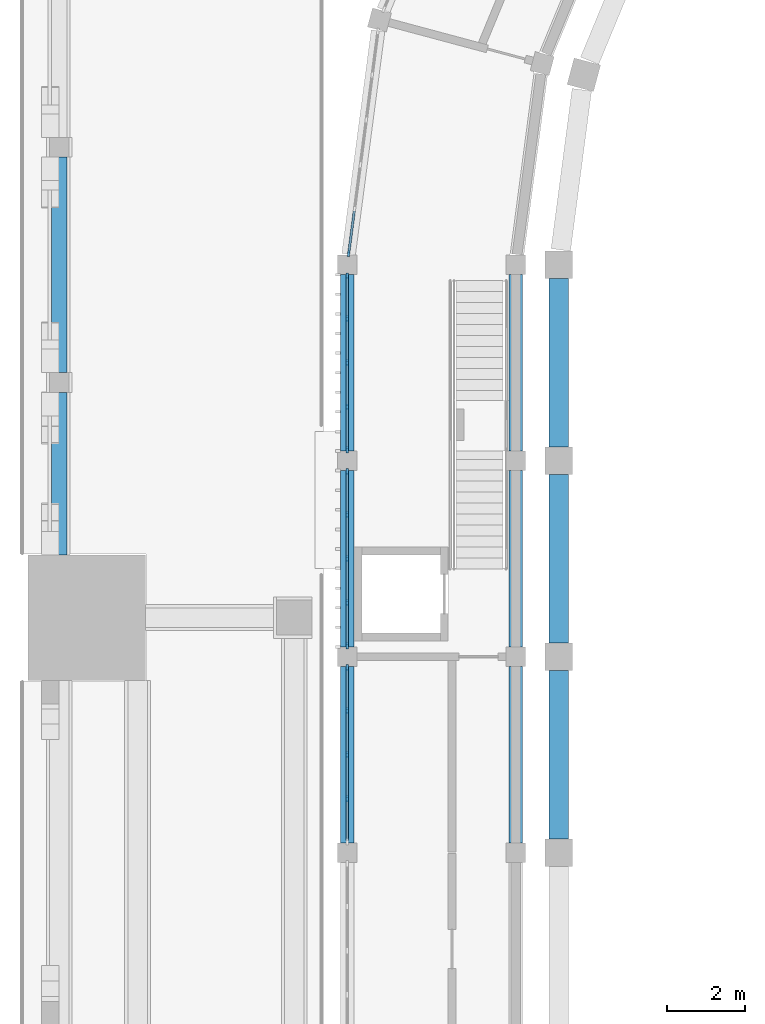
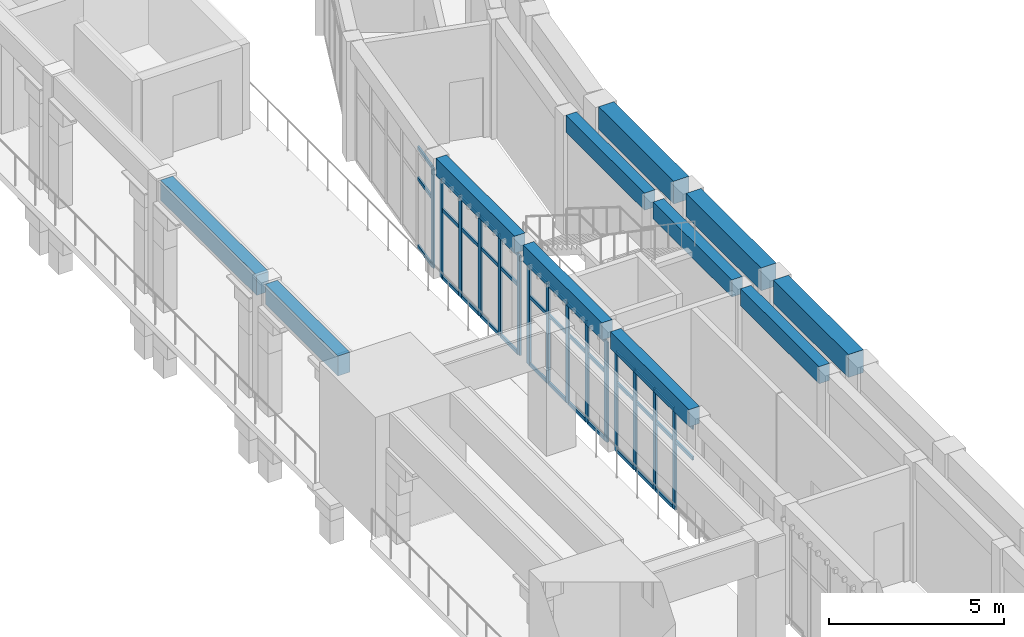
# One storey, part 11 of 99: 53 members, 11 beams, 4 elements without a shape of their own.
"""IFC4 building model written with IfcOpenShell, lengths in metres."""

from ifc_helpers import new_model, si_unit, direction, frame, origin, origin_2d, place, context, subcontext, project, spatial, rectangle, extrude, material, layer, layer_set, material_profile, profile_set, type_object, element, aggregate, save


model = new_model("IFC4")

# Units and contexts
model_context = context("Model", 3, precision=1e-05, world=origin(), true_north=direction((0.0, 1.0)))
body_context = subcontext(model_context, "Body", "Model", "MODEL_VIEW")
ifc_project = project(units=[si_unit("LENGTHUNIT", "METRE"), si_unit("AREAUNIT", "SQUARE_METRE"), si_unit("VOLUMEUNIT", "CUBIC_METRE"), si_unit("PLANEANGLEUNIT", "RADIAN"), si_unit("MASSUNIT", "GRAM", prefix="KILO")], contexts=[model_context])

# Site, building, storey
site_placement = place(None, origin())
site = spatial("IfcSite", under=ifc_project, at=site_placement, CompositionType="ELEMENT")
building_placement = place(site_placement, origin())
building = spatial("IfcBuilding", under=site, at=building_placement, Name="Wasatch Bagh Community Centre", CompositionType="ELEMENT")
storey_placement = place(building_placement, frame((0.0, 0.0, 4.199951171875)))
storey = spatial("IfcBuildingStorey", under=building, at=storey_placement, Name="L01", CompositionType="ELEMENT", Elevation=4.199951171875)

# Beams
ifc_material_1 = material(Name="Concrete C35", Category="concrete")
ifc_material_profile_1 = material_profile(ifc_material_1, rectangle(XDim=0.39990234375, YDim=0.699951171875, at=origin_2d()), Name="RC 400x700")
ifc_profile_set_1 = profile_set([ifc_material_profile_1], Name="Concrete C35")
beam_type_1 = type_object("IfcBeamType", Name="CT-B1", PredefinedType="BEAM", material=ifc_profile_set_1)
beam_1_placement = place(storey_placement, frame((4.5, 62.25, 3.85009765625), z_axis=(0.0, 1.0, 0.0), x_axis=(-1.0, 0.0, 0.0)))
element("IfcBeam", 1, at=beam_1_placement, inside=storey, type_object=beam_type_1, Name="CT-B1 terrace arcade spandrel beam 4", PredefinedType="BEAM", context=body_context, shape_type="SweptSolid", body=[
    extrude(rectangle(XDim=0.39990234375, YDim=0.699951171875, at=origin_2d()), origin(), (0.0, 0.0, 1.0), 5.5),
])
beam_2_placement = place(storey_placement, frame((4.5, 57.60009765625, 3.85009765625), z_axis=(0.0, 1.0, 0.0), x_axis=(-1.0, 0.0, 0.0)))
element("IfcBeam", 2, at=beam_2_placement, inside=storey, type_object=beam_type_1, Name="CT-B1 terrace arcade spandrel beam W2", PredefinedType="BEAM", context=body_context, shape_type="SweptSolid", body=[
    extrude(rectangle(XDim=0.39990234375, YDim=0.699951171875, at=origin_2d()), origin(), (0.0, 0.0, 1.0), 4.14990234375),
])

# Curtain wall, member
ifc_material_2 = material(Name="Aluminium curtain wall frame with low-iron insulated glass", Category="aluminium")
ifc_layer_1 = layer(ifc_material_2, 0.14990234375)
ifc_layer_set_1 = layer_set([ifc_layer_1], Name="Aluminium curtain wall frame with low-iron insulated glass")
curtain_wall_type_1 = type_object("IfcCurtainWallType", Name="Drum curtain wall DR-CW2", PredefinedType="NOTDEFINED", material=ifc_layer_set_1)
curtain_wall_1_placement = place(storey_placement, origin())
curtain_wall_1 = element("IfcCurtainWall", 3, at=curtain_wall_1_placement, inside=storey, type_object=curtain_wall_type_1, Name="Curtain wall DR-CW2 30", PredefinedType="NOTDEFINED")
ifc_material_3 = material(Name="Aluminium curtain wall frame", Category="aluminium")
ifc_material_profile_2 = material_profile(ifc_material_3, rectangle(XDim=0.06005859375, YDim=0.159912109375, at=origin_2d()), Name="Drum mullion DR-CW2")
ifc_profile_set_2 = profile_set([ifc_material_profile_2], Name="Aluminium curtain wall frame")
member_type_1 = type_object("IfcMemberType", Name="Drum mullion DR-CW2", PredefinedType="MULLION", material=ifc_profile_set_2)
member_1_placement = place(storey_placement, frame((11.88818359375, 65.2900390625, 0.0), z_axis=(0.0, 0.0, 1.0), x_axis=(0.991444861378, -0.130526192185, 0.0)))
member_1 = element("IfcMember", 4, at=member_1_placement, type_object=member_type_1, Name="DR-CW2 mullion 6", PredefinedType="MULLION", context=body_context, shape_type="SweptSolid", body=[
    extrude(rectangle(XDim=0.06005859375, YDim=0.159912109375, at=origin_2d()), origin(), (0.0, 0.0, 1.0), 3.5),
])

# Curtain wall, members
ifc_layer_2 = layer(ifc_material_2, 0.14990234375)
ifc_layer_set_2 = layer_set([ifc_layer_2], Name="Aluminium curtain wall frame with low-iron insulated glass")
curtain_wall_type_2 = type_object("IfcCurtainWallType", Name="Drum curtain wall DR-CW4", PredefinedType="NOTDEFINED", material=ifc_layer_set_2)
curtain_wall_2_placement = place(storey_placement, origin())
curtain_wall_2 = element("IfcCurtainWall", 5, at=curtain_wall_2_placement, inside=storey, type_object=curtain_wall_type_2, Name="Curtain wall DR-CW4 31", PredefinedType="NOTDEFINED")
ifc_material_profile_3 = material_profile(ifc_material_3, rectangle(XDim=0.06005859375, YDim=0.159912109375, at=origin_2d()), Name="Drum mullion DR-CW4")
ifc_profile_set_3 = profile_set([ifc_material_profile_3], Name="Aluminium curtain wall frame")
member_type_2 = type_object("IfcMemberType", Name="Drum mullion DR-CW4", PredefinedType="MULLION", material=ifc_profile_set_3)
member_2_placement = place(storey_placement, frame((11.85009765625, 64.719482421875, 0.0), z_axis=(0.0, 0.0, 1.0), x_axis=(1.0, 0.0, 0.0)))
member_2 = element("IfcMember", 6, at=member_2_placement, type_object=member_type_2, Name="DR-CW4 mullion 1", PredefinedType="MULLION", context=body_context, shape_type="SweptSolid", body=[
    extrude(rectangle(XDim=0.06005859375, YDim=0.159912109375, at=origin_2d()), origin(), (0.0, 0.0, 1.0), 3.5),
])
member_3_placement = place(storey_placement, frame((11.85009765625, 63.624755859375, 0.0), z_axis=(0.0, 0.0, 1.0), x_axis=(1.0, 0.0, 0.0)))
member_3 = element("IfcMember", 7, at=member_3_placement, type_object=member_type_2, Name="DR-CW4 mullion 2", PredefinedType="MULLION", context=body_context, shape_type="SweptSolid", body=[
    extrude(rectangle(XDim=0.06005859375, YDim=0.159912109375, at=origin_2d()), origin(), (0.0, 0.0, 1.0), 3.5),
])
member_4_placement = place(storey_placement, frame((11.85009765625, 62.5, 0.0), z_axis=(0.0, 0.0, 1.0), x_axis=(1.0, 0.0, 0.0)))
member_4 = element("IfcMember", 8, at=member_4_placement, type_object=member_type_2, Name="DR-CW4 mullion 3", PredefinedType="MULLION", context=body_context, shape_type="SweptSolid", body=[
    extrude(rectangle(XDim=0.06005859375, YDim=0.159912109375, at=origin_2d()), origin(), (0.0, 0.0, 1.0), 3.5),
])
member_5_placement = place(storey_placement, frame((11.85009765625, 61.375244140625, 0.0), z_axis=(0.0, 0.0, 1.0), x_axis=(1.0, 0.0, 0.0)))
member_5 = element("IfcMember", 9, at=member_5_placement, type_object=member_type_2, Name="DR-CW4 mullion 4", PredefinedType="MULLION", context=body_context, shape_type="SweptSolid", body=[
    extrude(rectangle(XDim=0.06005859375, YDim=0.159912109375, at=origin_2d()), origin(), (0.0, 0.0, 1.0), 3.5),
])
member_6_placement = place(storey_placement, frame((11.85009765625, 60.280517578125, 0.0), z_axis=(0.0, 0.0, 1.0), x_axis=(1.0, 0.0, 0.0)))
member_6 = element("IfcMember", 10, at=member_6_placement, type_object=member_type_2, Name="DR-CW4 mullion 5", PredefinedType="MULLION", context=body_context, shape_type="SweptSolid", body=[
    extrude(rectangle(XDim=0.06005859375, YDim=0.159912109375, at=origin_2d()), origin(), (0.0, 0.0, 1.0), 3.5),
])

curtain_wall_3_placement = place(storey_placement, origin())
curtain_wall_3 = element("IfcCurtainWall", 11, at=curtain_wall_3_placement, inside=storey, type_object=curtain_wall_type_2, Name="Curtain wall DR-CW4 32", PredefinedType="NOTDEFINED")
member_7_placement = place(storey_placement, frame((11.85009765625, 59.719482421875, 0.0), z_axis=(0.0, 0.0, 1.0), x_axis=(1.0, 0.0, 0.0)))
member_7 = element("IfcMember", 12, at=member_7_placement, type_object=member_type_2, Name="DR-CW4 mullion 1", PredefinedType="MULLION", context=body_context, shape_type="SweptSolid", body=[
    extrude(rectangle(XDim=0.06005859375, YDim=0.159912109375, at=origin_2d()), origin(), (0.0, 0.0, 1.0), 3.5),
])
member_8_placement = place(storey_placement, frame((11.85009765625, 58.624755859375, 0.0), z_axis=(0.0, 0.0, 1.0), x_axis=(1.0, 0.0, 0.0)))
member_8 = element("IfcMember", 13, at=member_8_placement, type_object=member_type_2, Name="DR-CW4 mullion 2", PredefinedType="MULLION", context=body_context, shape_type="SweptSolid", body=[
    extrude(rectangle(XDim=0.06005859375, YDim=0.159912109375, at=origin_2d()), origin(), (0.0, 0.0, 1.0), 3.5),
])
member_9_placement = place(storey_placement, frame((11.85009765625, 57.5, 0.0), z_axis=(0.0, 0.0, 1.0), x_axis=(1.0, 0.0, 0.0)))
member_9 = element("IfcMember", 14, at=member_9_placement, type_object=member_type_2, Name="DR-CW4 mullion 3", PredefinedType="MULLION", context=body_context, shape_type="SweptSolid", body=[
    extrude(rectangle(XDim=0.06005859375, YDim=0.159912109375, at=origin_2d()), origin(), (0.0, 0.0, 1.0), 3.5),
])
member_10_placement = place(storey_placement, frame((11.85009765625, 56.375244140625, 0.0), z_axis=(0.0, 0.0, 1.0), x_axis=(1.0, 0.0, 0.0)))
member_10 = element("IfcMember", 15, at=member_10_placement, type_object=member_type_2, Name="DR-CW4 mullion 4", PredefinedType="MULLION", context=body_context, shape_type="SweptSolid", body=[
    extrude(rectangle(XDim=0.06005859375, YDim=0.159912109375, at=origin_2d()), origin(), (0.0, 0.0, 1.0), 3.5),
])
member_11_placement = place(storey_placement, frame((11.85009765625, 55.280517578125, 0.0), z_axis=(0.0, 0.0, 1.0), x_axis=(1.0, 0.0, 0.0)))
member_11 = element("IfcMember", 16, at=member_11_placement, type_object=member_type_2, Name="DR-CW4 mullion 5", PredefinedType="MULLION", context=body_context, shape_type="SweptSolid", body=[
    extrude(rectangle(XDim=0.06005859375, YDim=0.159912109375, at=origin_2d()), origin(), (0.0, 0.0, 1.0), 3.5),
])

curtain_wall_4_placement = place(storey_placement, origin())
curtain_wall_4 = element("IfcCurtainWall", 17, at=curtain_wall_4_placement, inside=storey, type_object=curtain_wall_type_2, Name="Curtain wall DR-CW4 33", PredefinedType="NOTDEFINED")
member_12_placement = place(storey_placement, frame((11.85009765625, 54.719482421875, 0.0), z_axis=(0.0, 0.0, 1.0), x_axis=(1.0, 0.0, 0.0)))
member_12 = element("IfcMember", 18, at=member_12_placement, type_object=member_type_2, Name="DR-CW4 mullion 1", PredefinedType="MULLION", context=body_context, shape_type="SweptSolid", body=[
    extrude(rectangle(XDim=0.06005859375, YDim=0.159912109375, at=origin_2d()), origin(), (0.0, 0.0, 1.0), 3.5),
])
member_13_placement = place(storey_placement, frame((11.85009765625, 53.624755859375, 0.0), z_axis=(0.0, 0.0, 1.0), x_axis=(1.0, 0.0, 0.0)))
member_13 = element("IfcMember", 19, at=member_13_placement, type_object=member_type_2, Name="DR-CW4 mullion 2", PredefinedType="MULLION", context=body_context, shape_type="SweptSolid", body=[
    extrude(rectangle(XDim=0.06005859375, YDim=0.159912109375, at=origin_2d()), origin(), (0.0, 0.0, 1.0), 3.5),
])
member_14_placement = place(storey_placement, frame((11.85009765625, 52.5, 0.0), z_axis=(0.0, 0.0, 1.0), x_axis=(1.0, 0.0, 0.0)))
member_14 = element("IfcMember", 20, at=member_14_placement, type_object=member_type_2, Name="DR-CW4 mullion 3", PredefinedType="MULLION", context=body_context, shape_type="SweptSolid", body=[
    extrude(rectangle(XDim=0.06005859375, YDim=0.159912109375, at=origin_2d()), origin(), (0.0, 0.0, 1.0), 3.5),
])
member_15_placement = place(storey_placement, frame((11.85009765625, 51.375244140625, 0.0), z_axis=(0.0, 0.0, 1.0), x_axis=(1.0, 0.0, 0.0)))
member_15 = element("IfcMember", 21, at=member_15_placement, type_object=member_type_2, Name="DR-CW4 mullion 4", PredefinedType="MULLION", context=body_context, shape_type="SweptSolid", body=[
    extrude(rectangle(XDim=0.06005859375, YDim=0.159912109375, at=origin_2d()), origin(), (0.0, 0.0, 1.0), 3.5),
])

# Beams
ifc_material_profile_4 = material_profile(ifc_material_1, rectangle(XDim=0.35009765625, YDim=0.60009765625, at=origin_2d()), Name="RC 350x600")
ifc_profile_set_4 = profile_set([ifc_material_profile_4], Name="Concrete C35")
beam_type_2 = type_object("IfcBeamType", Name="Drum ring beam RC 350x600", PredefinedType="BEAM", material=ifc_profile_set_4)
for number, where, z_axis, x_axis, name in (
    (22, (16.14990234375, 64.74951171875, 3.900146484375), (0.0, -1.0, 0.0), (1.0, 0.0, 0.0), "Ring beam 8.4 DI-W7-DI-W6"),
    (23, (16.14990234375, 59.74951171875, 3.900146484375), (0.0, -1.0, 0.0), (1.0, 0.0, 0.0), "Ring beam 8.4 DI-W6-DI-W5"),
    (24, (16.14990234375, 54.74951171875, 3.900146484375), (0.0, -1.0, 0.0), (1.0, 0.0, 0.0), "Ring beam 8.4 DI-W5-DI-W4"),
    (25, (11.85009765625, 64.74951171875, 3.900146484375), (0.0, -1.0, 0.0), (1.0, 0.0, 0.0), "Ring beam 8.4 DO-W7-DO-W6"),
    (26, (11.85009765625, 59.74951171875, 3.900146484375), (0.0, -1.0, 0.0), (1.0, 0.0, 0.0), "Ring beam 8.4 DO-W6-DO-W5"),
    (27, (11.85009765625, 54.74951171875, 3.900146484375), (0.0, -1.0, 0.0), (1.0, 0.0, 0.0), "Ring beam 8.4 DO-W5-DO-W4"),
):
    element("IfcBeam", number, at=place(storey_placement, frame(where, z_axis=z_axis, x_axis=x_axis)), inside=storey, type_object=beam_type_2, Name=name, PredefinedType="BEAM", context=body_context, shape_type="SweptSolid", body=[
        extrude(rectangle(XDim=0.35009765625, YDim=0.60009765625, at=origin_2d()), origin(), (0.0, 0.0, 1.0), 4.4990234375),
    ])

# Member
ifc_material_profile_5 = material_profile(ifc_material_3, rectangle(XDim=0.06005859375, YDim=0.1201171875, at=origin_2d()), Name="Drum transom DR-CW2")
ifc_profile_set_5 = profile_set([ifc_material_profile_5], Name="Aluminium curtain wall frame")
member_type_3 = type_object("IfcMemberType", Name="Drum transom DR-CW2", PredefinedType="USERDEFINED", material=ifc_profile_set_5)
member_16_placement = place(storey_placement, frame((12.03125, 66.37646484375, 0.030029296875), z_axis=(-0.130573025845, -0.991438694485, 0.0), x_axis=(0.991438694485, -0.130573025845, 0.0)))
member_16 = element("IfcMember", 28, at=member_16_placement, type_object=member_type_3, Name="DR-CW2 transom 5.1", ObjectType="TRANSOM", PredefinedType="USERDEFINED", context=body_context, shape_type="SweptSolid", body=[
    extrude(rectangle(XDim=0.06005859375, YDim=0.1201171875, at=origin_2d()), origin(), (0.0, 0.0, 1.0), 1.065673828125),
])

member_17_placement = place(storey_placement, frame((12.03125, 66.37646484375, 2.400146484375), z_axis=(-0.130573025845, -0.991438694485, 0.0), x_axis=(0.991438694485, -0.130573025845, 0.0)))
member_17 = element("IfcMember", 29, at=member_17_placement, type_object=member_type_3, Name="DR-CW2 transom 5.2", ObjectType="TRANSOM", PredefinedType="USERDEFINED", context=body_context, shape_type="SweptSolid", body=[
    extrude(rectangle(XDim=0.06005859375, YDim=0.1201171875, at=origin_2d()), origin(), (0.0, 0.0, 1.0), 1.065673828125),
])

member_18_placement = place(storey_placement, frame((12.03125, 66.37646484375, 3.469970703125), z_axis=(-0.130573025845, -0.991438694485, 0.0), x_axis=(0.991438694485, -0.130573025845, 0.0)))
member_18 = element("IfcMember", 30, at=member_18_placement, type_object=member_type_3, Name="DR-CW2 transom 5.3", ObjectType="TRANSOM", PredefinedType="USERDEFINED", context=body_context, shape_type="SweptSolid", body=[
    extrude(rectangle(XDim=0.06005859375, YDim=0.1201171875, at=origin_2d()), origin(), (0.0, 0.0, 1.0), 1.065673828125),
])

aggregate(curtain_wall_1, [member_1, member_16, member_17, member_18])

ifc_material_profile_6 = material_profile(ifc_material_3, rectangle(XDim=0.06005859375, YDim=0.1201171875, at=origin_2d()), Name="Drum transom DR-CW4")
ifc_profile_set_6 = profile_set([ifc_material_profile_6], Name="Aluminium curtain wall frame")
member_type_4 = type_object("IfcMemberType", Name="Drum transom DR-CW4", PredefinedType="USERDEFINED", material=ifc_profile_set_6)
member_19_placement = place(storey_placement, frame((11.85009765625, 64.689453125, 0.030029296875), z_axis=(0.0, -1.0, 0.0), x_axis=(1.0, 0.0, 0.0)))
member_19 = element("IfcMember", 31, at=member_19_placement, type_object=member_type_4, Name="DR-CW4 transom 1.1", ObjectType="TRANSOM", PredefinedType="USERDEFINED", context=body_context, shape_type="SweptSolid", body=[
    extrude(rectangle(XDim=0.06005859375, YDim=0.1201171875, at=origin_2d()), origin(), (0.0, 0.0, 1.0), 1.03466796875),
])

member_20_placement = place(storey_placement, frame((11.85009765625, 64.689453125, 2.400146484375), z_axis=(0.0, -1.0, 0.0), x_axis=(1.0, 0.0, 0.0)))
member_20 = element("IfcMember", 32, at=member_20_placement, type_object=member_type_4, Name="DR-CW4 transom 1.2", ObjectType="TRANSOM", PredefinedType="USERDEFINED", context=body_context, shape_type="SweptSolid", body=[
    extrude(rectangle(XDim=0.06005859375, YDim=0.1201171875, at=origin_2d()), origin(), (0.0, 0.0, 1.0), 1.03466796875),
])

member_21_placement = place(storey_placement, frame((11.85009765625, 64.689453125, 3.469970703125), z_axis=(0.0, -1.0, 0.0), x_axis=(1.0, 0.0, 0.0)))
member_21 = element("IfcMember", 33, at=member_21_placement, type_object=member_type_4, Name="DR-CW4 transom 1.3", ObjectType="TRANSOM", PredefinedType="USERDEFINED", context=body_context, shape_type="SweptSolid", body=[
    extrude(rectangle(XDim=0.06005859375, YDim=0.1201171875, at=origin_2d()), origin(), (0.0, 0.0, 1.0), 1.03466796875),
])

member_22_placement = place(storey_placement, frame((11.85009765625, 63.5947265625, 0.030029296875), z_axis=(0.0, -1.0, 0.0), x_axis=(1.0, 0.0, 0.0)))
member_22 = element("IfcMember", 34, at=member_22_placement, type_object=member_type_4, Name="DR-CW4 transom 2.1", ObjectType="TRANSOM", PredefinedType="USERDEFINED", context=body_context, shape_type="SweptSolid", body=[
    extrude(rectangle(XDim=0.06005859375, YDim=0.1201171875, at=origin_2d()), origin(), (0.0, 0.0, 1.0), 1.064697265625),
])

member_23_placement = place(storey_placement, frame((11.85009765625, 63.5947265625, 2.400146484375), z_axis=(0.0, -1.0, 0.0), x_axis=(1.0, 0.0, 0.0)))
member_23 = element("IfcMember", 35, at=member_23_placement, type_object=member_type_4, Name="DR-CW4 transom 2.2", ObjectType="TRANSOM", PredefinedType="USERDEFINED", context=body_context, shape_type="SweptSolid", body=[
    extrude(rectangle(XDim=0.06005859375, YDim=0.1201171875, at=origin_2d()), origin(), (0.0, 0.0, 1.0), 1.064697265625),
])

member_24_placement = place(storey_placement, frame((11.85009765625, 63.5947265625, 3.469970703125), z_axis=(0.0, -1.0, 0.0), x_axis=(1.0, 0.0, 0.0)))
member_24 = element("IfcMember", 36, at=member_24_placement, type_object=member_type_4, Name="DR-CW4 transom 2.3", ObjectType="TRANSOM", PredefinedType="USERDEFINED", context=body_context, shape_type="SweptSolid", body=[
    extrude(rectangle(XDim=0.06005859375, YDim=0.1201171875, at=origin_2d()), origin(), (0.0, 0.0, 1.0), 1.064697265625),
])

member_25_placement = place(storey_placement, frame((11.85009765625, 62.469970703125, 0.030029296875), z_axis=(0.0, -1.0, 0.0), x_axis=(1.0, 0.0, 0.0)))
member_25 = element("IfcMember", 37, at=member_25_placement, type_object=member_type_4, Name="DR-CW4 transom 3.1", ObjectType="TRANSOM", PredefinedType="USERDEFINED", context=body_context, shape_type="SweptSolid", body=[
    extrude(rectangle(XDim=0.06005859375, YDim=0.1201171875, at=origin_2d()), origin(), (0.0, 0.0, 1.0), 1.064697265625),
])

member_26_placement = place(storey_placement, frame((11.85009765625, 62.469970703125, 2.400146484375), z_axis=(0.0, -1.0, 0.0), x_axis=(1.0, 0.0, 0.0)))
member_26 = element("IfcMember", 38, at=member_26_placement, type_object=member_type_4, Name="DR-CW4 transom 3.2", ObjectType="TRANSOM", PredefinedType="USERDEFINED", context=body_context, shape_type="SweptSolid", body=[
    extrude(rectangle(XDim=0.06005859375, YDim=0.1201171875, at=origin_2d()), origin(), (0.0, 0.0, 1.0), 1.064697265625),
])

member_27_placement = place(storey_placement, frame((11.85009765625, 62.469970703125, 3.469970703125), z_axis=(0.0, -1.0, 0.0), x_axis=(1.0, 0.0, 0.0)))
member_27 = element("IfcMember", 39, at=member_27_placement, type_object=member_type_4, Name="DR-CW4 transom 3.3", ObjectType="TRANSOM", PredefinedType="USERDEFINED", context=body_context, shape_type="SweptSolid", body=[
    extrude(rectangle(XDim=0.06005859375, YDim=0.1201171875, at=origin_2d()), origin(), (0.0, 0.0, 1.0), 1.064697265625),
])

member_28_placement = place(storey_placement, frame((11.85009765625, 61.34521484375, 0.030029296875), z_axis=(0.0, -1.0, 0.0), x_axis=(1.0, 0.0, 0.0)))
member_28 = element("IfcMember", 40, at=member_28_placement, type_object=member_type_4, Name="DR-CW4 transom 4.1", ObjectType="TRANSOM", PredefinedType="USERDEFINED", context=body_context, shape_type="SweptSolid", body=[
    extrude(rectangle(XDim=0.06005859375, YDim=0.1201171875, at=origin_2d()), origin(), (0.0, 0.0, 1.0), 1.03466796875),
])

member_29_placement = place(storey_placement, frame((11.85009765625, 61.34521484375, 2.400146484375), z_axis=(0.0, -1.0, 0.0), x_axis=(1.0, 0.0, 0.0)))
member_29 = element("IfcMember", 41, at=member_29_placement, type_object=member_type_4, Name="DR-CW4 transom 4.2", ObjectType="TRANSOM", PredefinedType="USERDEFINED", context=body_context, shape_type="SweptSolid", body=[
    extrude(rectangle(XDim=0.06005859375, YDim=0.1201171875, at=origin_2d()), origin(), (0.0, 0.0, 1.0), 1.03466796875),
])

member_30_placement = place(storey_placement, frame((11.85009765625, 61.34521484375, 3.469970703125), z_axis=(0.0, -1.0, 0.0), x_axis=(1.0, 0.0, 0.0)))
member_30 = element("IfcMember", 42, at=member_30_placement, type_object=member_type_4, Name="DR-CW4 transom 4.3", ObjectType="TRANSOM", PredefinedType="USERDEFINED", context=body_context, shape_type="SweptSolid", body=[
    extrude(rectangle(XDim=0.06005859375, YDim=0.1201171875, at=origin_2d()), origin(), (0.0, 0.0, 1.0), 1.03466796875),
])

aggregate(curtain_wall_2, [member_2, member_3, member_4, member_5, member_6, member_19, member_20, member_21, member_22, member_23, member_24, member_25, member_26, member_27, member_28, member_29, member_30])

member_31_placement = place(storey_placement, frame((11.85009765625, 59.689453125, 0.030029296875), z_axis=(0.0, -1.0, 0.0), x_axis=(1.0, 0.0, 0.0)))
member_31 = element("IfcMember", 43, at=member_31_placement, type_object=member_type_4, Name="DR-CW4 transom 1.1", ObjectType="TRANSOM", PredefinedType="USERDEFINED", context=body_context, shape_type="SweptSolid", body=[
    extrude(rectangle(XDim=0.06005859375, YDim=0.1201171875, at=origin_2d()), origin(), (0.0, 0.0, 1.0), 1.03466796875),
])

member_32_placement = place(storey_placement, frame((11.85009765625, 59.689453125, 2.400146484375), z_axis=(0.0, -1.0, 0.0), x_axis=(1.0, 0.0, 0.0)))
member_32 = element("IfcMember", 44, at=member_32_placement, type_object=member_type_4, Name="DR-CW4 transom 1.2", ObjectType="TRANSOM", PredefinedType="USERDEFINED", context=body_context, shape_type="SweptSolid", body=[
    extrude(rectangle(XDim=0.06005859375, YDim=0.1201171875, at=origin_2d()), origin(), (0.0, 0.0, 1.0), 1.03466796875),
])

member_33_placement = place(storey_placement, frame((11.85009765625, 59.689453125, 3.469970703125), z_axis=(0.0, -1.0, 0.0), x_axis=(1.0, 0.0, 0.0)))
member_33 = element("IfcMember", 45, at=member_33_placement, type_object=member_type_4, Name="DR-CW4 transom 1.3", ObjectType="TRANSOM", PredefinedType="USERDEFINED", context=body_context, shape_type="SweptSolid", body=[
    extrude(rectangle(XDim=0.06005859375, YDim=0.1201171875, at=origin_2d()), origin(), (0.0, 0.0, 1.0), 1.03466796875),
])

member_34_placement = place(storey_placement, frame((11.85009765625, 58.5947265625, 0.030029296875), z_axis=(0.0, -1.0, 0.0), x_axis=(1.0, 0.0, 0.0)))
member_34 = element("IfcMember", 46, at=member_34_placement, type_object=member_type_4, Name="DR-CW4 transom 2.1", ObjectType="TRANSOM", PredefinedType="USERDEFINED", context=body_context, shape_type="SweptSolid", body=[
    extrude(rectangle(XDim=0.06005859375, YDim=0.1201171875, at=origin_2d()), origin(), (0.0, 0.0, 1.0), 1.064697265625),
])

member_35_placement = place(storey_placement, frame((11.85009765625, 58.5947265625, 2.400146484375), z_axis=(0.0, -1.0, 0.0), x_axis=(1.0, 0.0, 0.0)))
member_35 = element("IfcMember", 47, at=member_35_placement, type_object=member_type_4, Name="DR-CW4 transom 2.2", ObjectType="TRANSOM", PredefinedType="USERDEFINED", context=body_context, shape_type="SweptSolid", body=[
    extrude(rectangle(XDim=0.06005859375, YDim=0.1201171875, at=origin_2d()), origin(), (0.0, 0.0, 1.0), 1.064697265625),
])

member_36_placement = place(storey_placement, frame((11.85009765625, 58.5947265625, 3.469970703125), z_axis=(0.0, -1.0, 0.0), x_axis=(1.0, 0.0, 0.0)))
member_36 = element("IfcMember", 48, at=member_36_placement, type_object=member_type_4, Name="DR-CW4 transom 2.3", ObjectType="TRANSOM", PredefinedType="USERDEFINED", context=body_context, shape_type="SweptSolid", body=[
    extrude(rectangle(XDim=0.06005859375, YDim=0.1201171875, at=origin_2d()), origin(), (0.0, 0.0, 1.0), 1.064697265625),
])

member_37_placement = place(storey_placement, frame((11.85009765625, 57.469970703125, 0.030029296875), z_axis=(0.0, -1.0, 0.0), x_axis=(1.0, 0.0, 0.0)))
member_37 = element("IfcMember", 49, at=member_37_placement, type_object=member_type_4, Name="DR-CW4 transom 3.1", ObjectType="TRANSOM", PredefinedType="USERDEFINED", context=body_context, shape_type="SweptSolid", body=[
    extrude(rectangle(XDim=0.06005859375, YDim=0.1201171875, at=origin_2d()), origin(), (0.0, 0.0, 1.0), 1.064697265625),
])

member_38_placement = place(storey_placement, frame((11.85009765625, 57.469970703125, 2.400146484375), z_axis=(0.0, -1.0, 0.0), x_axis=(1.0, 0.0, 0.0)))
member_38 = element("IfcMember", 50, at=member_38_placement, type_object=member_type_4, Name="DR-CW4 transom 3.2", ObjectType="TRANSOM", PredefinedType="USERDEFINED", context=body_context, shape_type="SweptSolid", body=[
    extrude(rectangle(XDim=0.06005859375, YDim=0.1201171875, at=origin_2d()), origin(), (0.0, 0.0, 1.0), 1.064697265625),
])

member_39_placement = place(storey_placement, frame((11.85009765625, 57.469970703125, 3.469970703125), z_axis=(0.0, -1.0, 0.0), x_axis=(1.0, 0.0, 0.0)))
member_39 = element("IfcMember", 51, at=member_39_placement, type_object=member_type_4, Name="DR-CW4 transom 3.3", ObjectType="TRANSOM", PredefinedType="USERDEFINED", context=body_context, shape_type="SweptSolid", body=[
    extrude(rectangle(XDim=0.06005859375, YDim=0.1201171875, at=origin_2d()), origin(), (0.0, 0.0, 1.0), 1.064697265625),
])

member_40_placement = place(storey_placement, frame((11.85009765625, 56.34521484375, 0.030029296875), z_axis=(0.0, -1.0, 0.0), x_axis=(1.0, 0.0, 0.0)))
member_40 = element("IfcMember", 52, at=member_40_placement, type_object=member_type_4, Name="DR-CW4 transom 4.1", ObjectType="TRANSOM", PredefinedType="USERDEFINED", context=body_context, shape_type="SweptSolid", body=[
    extrude(rectangle(XDim=0.06005859375, YDim=0.1201171875, at=origin_2d()), origin(), (0.0, 0.0, 1.0), 1.03466796875),
])

member_41_placement = place(storey_placement, frame((11.85009765625, 56.34521484375, 2.400146484375), z_axis=(0.0, -1.0, 0.0), x_axis=(1.0, 0.0, 0.0)))
member_41 = element("IfcMember", 53, at=member_41_placement, type_object=member_type_4, Name="DR-CW4 transom 4.2", ObjectType="TRANSOM", PredefinedType="USERDEFINED", context=body_context, shape_type="SweptSolid", body=[
    extrude(rectangle(XDim=0.06005859375, YDim=0.1201171875, at=origin_2d()), origin(), (0.0, 0.0, 1.0), 1.03466796875),
])

member_42_placement = place(storey_placement, frame((11.85009765625, 56.34521484375, 3.469970703125), z_axis=(0.0, -1.0, 0.0), x_axis=(1.0, 0.0, 0.0)))
member_42 = element("IfcMember", 54, at=member_42_placement, type_object=member_type_4, Name="DR-CW4 transom 4.3", ObjectType="TRANSOM", PredefinedType="USERDEFINED", context=body_context, shape_type="SweptSolid", body=[
    extrude(rectangle(XDim=0.06005859375, YDim=0.1201171875, at=origin_2d()), origin(), (0.0, 0.0, 1.0), 1.03466796875),
])

aggregate(curtain_wall_3, [member_7, member_8, member_9, member_10, member_11, member_31, member_32, member_33, member_34, member_35, member_36, member_37, member_38, member_39, member_40, member_41, member_42])

member_43_placement = place(storey_placement, frame((11.85009765625, 54.689453125, 0.030029296875), z_axis=(0.0, -1.0, 0.0), x_axis=(1.0, 0.0, 0.0)))
member_43 = element("IfcMember", 55, at=member_43_placement, type_object=member_type_4, Name="DR-CW4 transom 1.1", ObjectType="TRANSOM", PredefinedType="USERDEFINED", context=body_context, shape_type="SweptSolid", body=[
    extrude(rectangle(XDim=0.06005859375, YDim=0.1201171875, at=origin_2d()), origin(), (0.0, 0.0, 1.0), 1.03466796875),
])

member_44_placement = place(storey_placement, frame((11.85009765625, 54.689453125, 2.400146484375), z_axis=(0.0, -1.0, 0.0), x_axis=(1.0, 0.0, 0.0)))
member_44 = element("IfcMember", 56, at=member_44_placement, type_object=member_type_4, Name="DR-CW4 transom 1.2", ObjectType="TRANSOM", PredefinedType="USERDEFINED", context=body_context, shape_type="SweptSolid", body=[
    extrude(rectangle(XDim=0.06005859375, YDim=0.1201171875, at=origin_2d()), origin(), (0.0, 0.0, 1.0), 1.03466796875),
])

member_45_placement = place(storey_placement, frame((11.85009765625, 54.689453125, 3.469970703125), z_axis=(0.0, -1.0, 0.0), x_axis=(1.0, 0.0, 0.0)))
member_45 = element("IfcMember", 57, at=member_45_placement, type_object=member_type_4, Name="DR-CW4 transom 1.3", ObjectType="TRANSOM", PredefinedType="USERDEFINED", context=body_context, shape_type="SweptSolid", body=[
    extrude(rectangle(XDim=0.06005859375, YDim=0.1201171875, at=origin_2d()), origin(), (0.0, 0.0, 1.0), 1.03466796875),
])

member_46_placement = place(storey_placement, frame((11.85009765625, 53.5947265625, 0.030029296875), z_axis=(0.0, -1.0, 0.0), x_axis=(1.0, 0.0, 0.0)))
member_46 = element("IfcMember", 58, at=member_46_placement, type_object=member_type_4, Name="DR-CW4 transom 2.1", ObjectType="TRANSOM", PredefinedType="USERDEFINED", context=body_context, shape_type="SweptSolid", body=[
    extrude(rectangle(XDim=0.06005859375, YDim=0.1201171875, at=origin_2d()), origin(), (0.0, 0.0, 1.0), 1.064697265625),
])

member_47_placement = place(storey_placement, frame((11.85009765625, 53.5947265625, 2.400146484375), z_axis=(0.0, -1.0, 0.0), x_axis=(1.0, 0.0, 0.0)))
member_47 = element("IfcMember", 59, at=member_47_placement, type_object=member_type_4, Name="DR-CW4 transom 2.2", ObjectType="TRANSOM", PredefinedType="USERDEFINED", context=body_context, shape_type="SweptSolid", body=[
    extrude(rectangle(XDim=0.06005859375, YDim=0.1201171875, at=origin_2d()), origin(), (0.0, 0.0, 1.0), 1.064697265625),
])

member_48_placement = place(storey_placement, frame((11.85009765625, 53.5947265625, 3.469970703125), z_axis=(0.0, -1.0, 0.0), x_axis=(1.0, 0.0, 0.0)))
member_48 = element("IfcMember", 60, at=member_48_placement, type_object=member_type_4, Name="DR-CW4 transom 2.3", ObjectType="TRANSOM", PredefinedType="USERDEFINED", context=body_context, shape_type="SweptSolid", body=[
    extrude(rectangle(XDim=0.06005859375, YDim=0.1201171875, at=origin_2d()), origin(), (0.0, 0.0, 1.0), 1.064697265625),
])

member_49_placement = place(storey_placement, frame((11.85009765625, 52.469970703125, 0.030029296875), z_axis=(0.0, -1.0, 0.0), x_axis=(1.0, 0.0, 0.0)))
member_49 = element("IfcMember", 61, at=member_49_placement, type_object=member_type_4, Name="DR-CW4 transom 3.1", ObjectType="TRANSOM", PredefinedType="USERDEFINED", context=body_context, shape_type="SweptSolid", body=[
    extrude(rectangle(XDim=0.06005859375, YDim=0.1201171875, at=origin_2d()), origin(), (0.0, 0.0, 1.0), 1.064697265625),
])

member_50_placement = place(storey_placement, frame((11.85009765625, 52.469970703125, 2.400146484375), z_axis=(0.0, -1.0, 0.0), x_axis=(1.0, 0.0, 0.0)))
member_50 = element("IfcMember", 62, at=member_50_placement, type_object=member_type_4, Name="DR-CW4 transom 3.2", ObjectType="TRANSOM", PredefinedType="USERDEFINED", context=body_context, shape_type="SweptSolid", body=[
    extrude(rectangle(XDim=0.06005859375, YDim=0.1201171875, at=origin_2d()), origin(), (0.0, 0.0, 1.0), 1.064697265625),
])

member_51_placement = place(storey_placement, frame((11.85009765625, 52.469970703125, 3.469970703125), z_axis=(0.0, -1.0, 0.0), x_axis=(1.0, 0.0, 0.0)))
member_51 = element("IfcMember", 63, at=member_51_placement, type_object=member_type_4, Name="DR-CW4 transom 3.3", ObjectType="TRANSOM", PredefinedType="USERDEFINED", context=body_context, shape_type="SweptSolid", body=[
    extrude(rectangle(XDim=0.06005859375, YDim=0.1201171875, at=origin_2d()), origin(), (0.0, 0.0, 1.0), 1.064697265625),
])

member_52_placement = place(storey_placement, frame((11.85009765625, 51.34521484375, 2.400146484375), z_axis=(0.0, -1.0, 0.0), x_axis=(1.0, 0.0, 0.0)))
member_52 = element("IfcMember", 64, at=member_52_placement, type_object=member_type_4, Name="DR-CW4 transom 4.2", ObjectType="TRANSOM", PredefinedType="USERDEFINED", context=body_context, shape_type="SweptSolid", body=[
    extrude(rectangle(XDim=0.06005859375, YDim=0.1201171875, at=origin_2d()), origin(), (0.0, 0.0, 1.0), 1.03466796875),
])

member_53_placement = place(storey_placement, frame((11.85009765625, 51.34521484375, 3.469970703125), z_axis=(0.0, -1.0, 0.0), x_axis=(1.0, 0.0, 0.0)))
member_53 = element("IfcMember", 65, at=member_53_placement, type_object=member_type_4, Name="DR-CW4 transom 4.3", ObjectType="TRANSOM", PredefinedType="USERDEFINED", context=body_context, shape_type="SweptSolid", body=[
    extrude(rectangle(XDim=0.06005859375, YDim=0.1201171875, at=origin_2d()), origin(), (0.0, 0.0, 1.0), 1.03466796875),
])

aggregate(curtain_wall_4, [member_12, member_13, member_14, member_15, member_43, member_44, member_45, member_46, member_47, member_48, member_49, member_50, member_51, member_52, member_53])

# Beams
ifc_material_profile_7 = material_profile(ifc_material_1, rectangle(XDim=0.5, YDim=0.800048828125, at=origin_2d()), Name="RC 500x800")
ifc_profile_set_7 = profile_set([ifc_material_profile_7], Name="Concrete C35")
beam_type_3 = type_object("IfcBeamType", Name="MH ring beam RC 500x800", PredefinedType="BEAM", material=ifc_profile_set_7)
for number, where, z_axis, x_axis, name in (
    (66, (17.25, 64.6494140625, 3.800048828125), (0.0, -1.0, 0.0), (1.0, 0.0, 0.0), "Ring beam 8.4 W7-W6"),
    (67, (17.25, 59.6494140625, 3.800048828125), (0.0, -1.0, 0.0), (1.0, 0.0, 0.0), "Ring beam 8.4 W6-W5"),
    (68, (17.25, 54.6494140625, 3.800048828125), (0.0, -1.0, 0.0), (1.0, 0.0, 0.0), "Ring beam 8.4 W5-W4"),
):
    element("IfcBeam", number, at=place(storey_placement, frame(where, z_axis=z_axis, x_axis=x_axis)), inside=storey, type_object=beam_type_3, Name=name, PredefinedType="BEAM", context=body_context, shape_type="SweptSolid", body=[
        extrude(rectangle(XDim=0.5, YDim=0.800048828125, at=origin_2d()), origin(), (0.0, 0.0, 1.0), 4.298828125),
    ])

save(model, "model.ifc")
